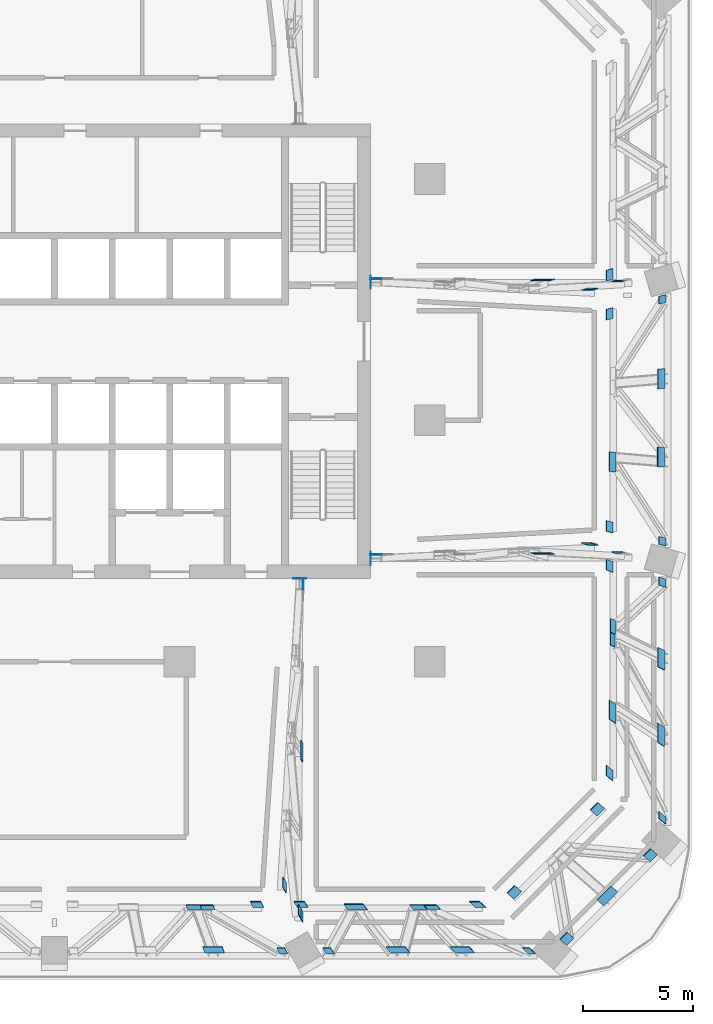
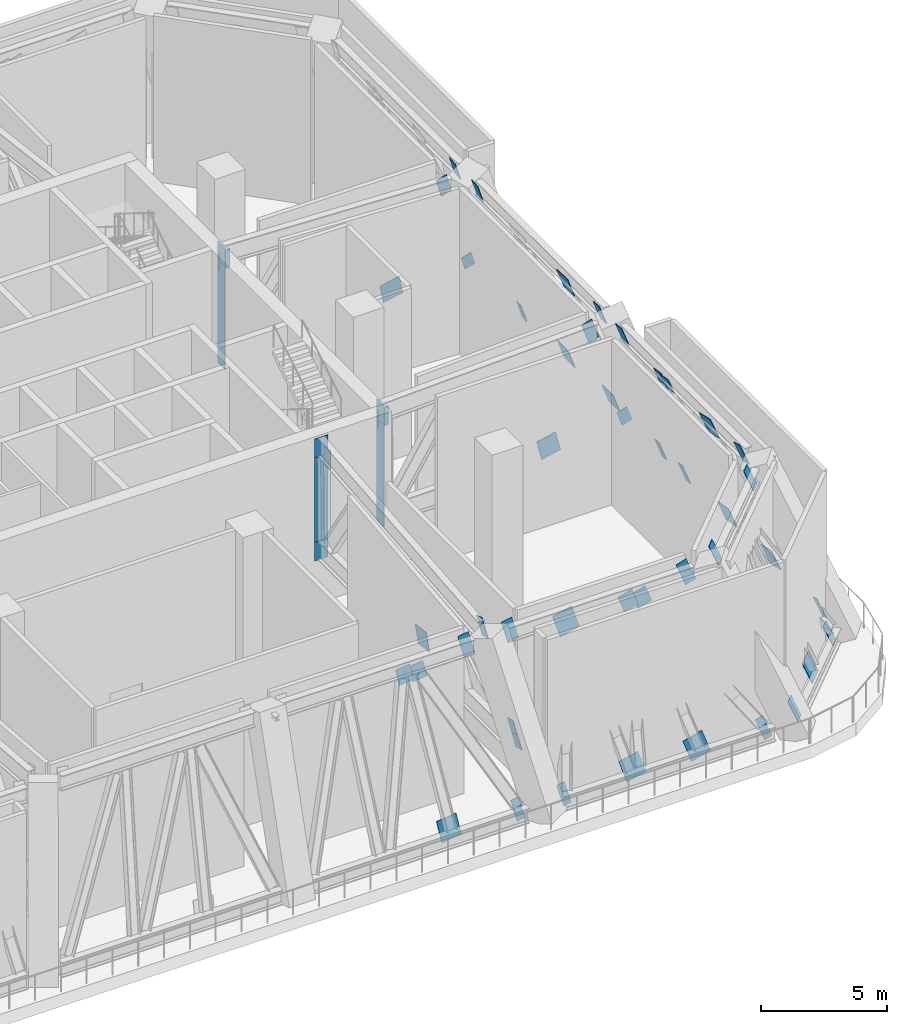
# One storey, part 11 of 24: 58 discrete accessories.
"""IFC4 building model written with IfcOpenShell, lengths in metres."""

import ifcopenshell
import ifcopenshell.guid

model = None  # the IFC model being written
_history = None  # IfcOwnerHistory: only IFC2X3 demands one
_inside = {}  # id of a spatial element -> (the spatial element, [elements in it])
_under = {}  # id of a project, library or spatial element -> (it, [spatial elements below it])
_declared = {}  # id of a project -> (the project, [libraries it declares])
_typed = {}  # id of a type object -> (the type object, [elements of that type])
_made_of = {}  # id of a material, layer set ... -> (it, [elements and type objects made of it])


def new_model(schema):
    """Start an empty IFC model of exactly this schema.

    Asked for "IFC4X3", IfcOpenShell would pick the latest addendum, in which some entities
    have other attributes; the version numbers below select the first issue.
    IFC2X3 requires an IfcOwnerHistory on every rooted entity: one is made here for all.
    """
    global model, _history
    if schema == "IFC4X3":
        model = ifcopenshell.file(schema_version=(4, 3, 0, 0))
    else:
        model = ifcopenshell.file(schema=schema)
    _inside.clear()
    _under.clear()
    _declared.clear()
    _typed.clear()
    _made_of.clear()
    _history = None
    if model.schema == "IFC2X3":
        org = make("IfcOrganization", Name="unknown")
        user = make(
            "IfcPersonAndOrganization",
            ThePerson=make("IfcPerson", FamilyName="unknown"),
            TheOrganization=org,
        )
        app = make(
            "IfcApplication",
            ApplicationDeveloper=org,
            Version="unknown",
            ApplicationFullName="unknown",
            ApplicationIdentifier="unknown",
        )
        _history = make(
            "IfcOwnerHistory",
            OwningUser=user,
            OwningApplication=app,
            ChangeAction="ADDED",
            CreationDate=0,
        )
    return model


def make(cls, **values):
    """One entity of the class cls with the attributes given. An attribute that is None is left unset."""
    return model.create_entity(
        cls, **{name: value for name, value in values.items() if value is not None}
    )


def rooted(cls, **values):
    """An entity with a GlobalId (a new one), such as an element, a storey or a relation."""
    return make(cls, GlobalId=ifcopenshell.guid.new(), OwnerHistory=_history, **values)


def si_unit(unit_type, name, prefix=None):
    """IfcSIUnit, for example si_unit("LENGTHUNIT", "METRE", prefix="MILLI")."""
    return make("IfcSIUnit", UnitType=unit_type, Prefix=prefix, Name=name)


def assignment(units):
    """IfcUnitAssignment: the units of a project."""
    return None if units is None else make("IfcUnitAssignment", Units=units)


def point(xyz):
    """IfcCartesianPoint."""
    return None if xyz is None else make("IfcCartesianPoint", Coordinates=xyz)


def direction(xyz):
    """IfcDirection."""
    return None if xyz is None else make("IfcDirection", DirectionRatios=xyz)


def frame(location, z_axis=None, x_axis=None):
    """IfcAxis2Placement3D, a coordinate frame: its origin and axes. An axis left out is left unset."""
    return make(
        "IfcAxis2Placement3D",
        Location=point(location),
        Axis=direction(z_axis),
        RefDirection=direction(x_axis),
    )


def frame_2d(location, x_axis=None):
    """IfcAxis2Placement2D, a coordinate frame in the plane: its origin and x axis."""
    return make(
        "IfcAxis2Placement2D", Location=point(location), RefDirection=direction(x_axis)
    )


def origin():
    """The frame at (0, 0, 0) with its axes left unset."""
    return frame((0.0, 0.0, 0.0))


def origin_2d():
    """The frame at (0, 0) in the plane with its x axis left unset."""
    return frame_2d((0.0, 0.0))


def place(relative_to, where):
    """IfcLocalPlacement: puts the frame where relative to a parent placement (None: the world)."""
    return make(
        "IfcLocalPlacement", PlacementRelTo=relative_to, RelativePlacement=where
    )


def context(
    kind, dimensions, precision=None, world=None, true_north=None, identifier=None
):
    """IfcGeometricRepresentationContext, for example the 3D "Model" context."""
    return make(
        "IfcGeometricRepresentationContext",
        ContextIdentifier=identifier,
        ContextType=kind,
        CoordinateSpaceDimension=dimensions,
        Precision=precision,
        WorldCoordinateSystem=world,
        TrueNorth=true_north,
    )


def subcontext(parent, identifier, kind, view, scale=None):
    """IfcGeometricRepresentationSubContext, for example "Body" below "Model"."""
    return make(
        "IfcGeometricRepresentationSubContext",
        ContextIdentifier=identifier,
        ContextType=kind,
        ParentContext=parent,
        TargetScale=scale,
        TargetView=view,
    )


def project(units=None, contexts=None):
    """IfcProject with its units and contexts."""
    return rooted(
        "IfcProject",
        Name="project",
        RepresentationContexts=contexts,
        UnitsInContext=assignment(units),
    )


def spatial(cls, under=None, at=None, **own):
    """A site, building, storey or space (cls), placed at a placement, below another one or the project."""
    s = rooted(cls, ObjectPlacement=at, **own)
    if under is not None:
        _under.setdefault(under.id(), (under, []))[1].append(s)
    return s


def profile(cls, at=None, kind="AREA", **sizes):
    """A parametric profile (cls). Its sizes go by their IFC names, for example OverallWidth=200.0."""
    return make(cls, ProfileType=kind, Position=at, **sizes)


def rectangle(**sizes):
    """IfcRectangleProfileDef."""
    return profile("IfcRectangleProfileDef", **sizes)


def extrude(swept, where, along, depth):
    """IfcExtrudedAreaSolid: the profile swept, set in the frame where, extruded along a direction by depth."""
    return make(
        "IfcExtrudedAreaSolid",
        SweptArea=swept,
        Position=where,
        ExtrudedDirection=direction(along),
        Depth=depth,
    )


def shape(context_of_items, identifier, shape_type, items):
    """IfcShapeRepresentation: the items that make up one representation, for example the "Body"."""
    return make(
        "IfcShapeRepresentation",
        ContextOfItems=context_of_items,
        RepresentationIdentifier=identifier,
        RepresentationType=shape_type,
        Items=items,
    )


def material(Name=None, Category=None):
    """IfcMaterial."""
    return make("IfcMaterial", Name=Name, Category=Category)


def layer(
    of_material, thickness, ventilated=None, Name=None, Category=None, Priority=None
):
    """IfcMaterialLayer: one layer of a wall or slab, of a material (None: an air gap)."""
    return make(
        "IfcMaterialLayer",
        Material=of_material,
        LayerThickness=thickness,
        IsVentilated=ventilated,
        Name=Name,
        Category=Category,
        Priority=Priority,
    )


def layer_set(layers, Name=None):
    """IfcMaterialLayerSet."""
    return make("IfcMaterialLayerSet", MaterialLayers=layers, LayerSetName=Name)


def made_of(thing, what):
    """Note that an element or type object is made of a material, layer set ...; save() writes the relation."""
    if what is not None:
        _made_of.setdefault(what.id(), (what, []))[1].append(thing)
    return thing


def type_object(cls, material=None, **own):
    """A type object (cls), such as IfcWallType, which elements share."""
    return made_of(rooted(cls, **own), material)


def element(
    cls,
    number,
    at=None,
    inside=None,
    cuts=None,
    type_object=None,
    material=None,
    context=None,
    identifier="Body",
    shape_type=None,
    held_by="IfcProductDefinitionShape",
    body=None,
    shapes=None,
    **own,
):
    """One element of the class cls, such as IfcWall. Its Tag is "e" and its number.

    at: its placement. inside: the storey or other place that contains it. cuts: it is an
    opening in that element (IfcRelVoidsElement). A single representation is given by context,
    identifier, shape_type and body (its items); several are given by shapes. held_by: the class
    of the entity that holds the representations. save() writes the other relations.
    """
    e = rooted(cls, Tag="e%d" % number, ObjectPlacement=at, **own)
    if body is not None:
        shapes = [shape(context, identifier, shape_type, body)]
    if shapes is not None:
        e.Representation = make(held_by, Representations=shapes)
    if inside is not None:
        _inside.setdefault(inside.id(), (inside, []))[1].append(e)
    if cuts is not None:
        rooted(
            "IfcRelVoidsElement", RelatingBuildingElement=cuts, RelatedOpeningElement=e
        )
    if type_object is not None:
        _typed.setdefault(type_object.id(), (type_object, []))[1].append(e)
    return made_of(e, material)


def aggregate(whole, parts):
    """IfcRelAggregates: a whole, such as a stair, and the parts it consists of."""
    return rooted("IfcRelAggregates", RelatingObject=whole, RelatedObjects=parts)


def save(model, path):
    """Write the relations noted so far, then the file.

    IfcRelAggregates (storeys below a building ...), IfcRelContainedInSpatialStructure (elements
    in a storey), IfcRelDefinesByType, IfcRelAssociatesMaterial and IfcRelDeclares: one each for
    every whole, place, type object, material and project.
    """
    for whole, parts in _under.values():
        aggregate(whole, parts)
    for where, things in _inside.values():
        rooted(
            "IfcRelContainedInSpatialStructure",
            RelatedElements=things,
            RelatingStructure=where,
        )
    for kind, things in _typed.values():
        rooted("IfcRelDefinesByType", RelatedObjects=things, RelatingType=kind)
    for what, things in _made_of.values():
        rooted("IfcRelAssociatesMaterial", RelatedObjects=things, RelatingMaterial=what)
    for by, libraries in _declared.values():
        rooted("IfcRelDeclares", RelatingContext=by, RelatedDefinitions=libraries)
    model.write(path)


model = new_model("IFC4")

# Units and contexts
model_context = context("Model", 3, precision=1e-05, world=origin(), true_north=direction((0.0, 1.0)))
body_context = subcontext(model_context, "Body", "Model", "MODEL_VIEW")
ifc_project = project(units=[si_unit("LENGTHUNIT", "METRE"), si_unit("AREAUNIT", "SQUARE_METRE"), si_unit("VOLUMEUNIT", "CUBIC_METRE"), si_unit("PLANEANGLEUNIT", "RADIAN"), si_unit("MASSUNIT", "GRAM", prefix="KILO")], contexts=[model_context])

# Site, building, storey
site_placement = place(None, origin())
site = spatial("IfcSite", under=ifc_project, at=site_placement, CompositionType="ELEMENT")
building_placement = place(site_placement, origin())
building = spatial("IfcBuilding", under=site, at=building_placement, Name="Mopane Tessera Tower", CompositionType="ELEMENT")
storey_placement = place(building_placement, frame((0.0, 0.0, 148.60009765625)))
storey = spatial("IfcBuildingStorey", under=building, at=storey_placement, Name="L30", CompositionType="ELEMENT", Elevation=148.60009765625)

# Discrete accessories
ifc_material_1 = material(Name="Structural steel S460", Category="steel")
ifc_layer_1 = layer(ifc_material_1, 0.014892578125)
ifc_layer_set_1 = layer_set([ifc_layer_1], Name="Structural steel S460")
discrete_accessory_type_1 = type_object("IfcDiscreteAccessoryType", Name="Cast-in anchor plate 15 mm", PredefinedType="ANCHORPLATE", material=ifc_layer_set_1)
for number, where, z_axis, x_axis, name in (
    (1, (14.407470703125, -6.291748046875, 2.099853515625), (0.0, 0.0, 1.0), (1.0, 0.0, 0.0), "Cast-in anchor plate s ot L30 E1 b"),
    (2, (14.407470703125, -6.291015625, 7.08984375), (0.0, 0.0, 1.0), (1.0, 0.0, 0.0), "Cast-in anchor plate s ot L30 E1 t"),
):
    element("IfcDiscreteAccessory", number, at=place(storey_placement, frame(where, z_axis=z_axis, x_axis=x_axis)), inside=storey, type_object=discrete_accessory_type_1, Name=name, PredefinedType="ANCHORPLATE", context=body_context, shape_type="SweptSolid", body=[
        extrude(rectangle(XDim=0.014892578125, YDim=0.60205078125, at=origin_2d()), origin(), (0.0, 0.0, 1.0), 0.91015625),
    ])
discrete_accessory_1_placement = place(storey_placement, frame((14.407470703125, -6.291259765625, 3.010009765625), z_axis=(0.0, 0.0, 1.0), x_axis=(1.0, 0.0, 0.0)))
element("IfcDiscreteAccessory", 3, at=discrete_accessory_1_placement, inside=storey, type_object=discrete_accessory_type_1, Name="Cast-in anchor plate s ot L30 E1 p", PredefinedType="ANCHORPLATE", context=body_context, shape_type="SweptSolid", body=[
    extrude(rectangle(XDim=0.014892578125, YDim=0.60205078125, at=origin_2d()), origin(), (0.0, 0.0, 1.0), 4.079833984375),
])
for number, where, z_axis, x_axis, name in (
    (4, (14.407470703125, 6.291748046875, 2.099853515625), (0.0, 0.0, 1.0), (1.0, 0.0, 0.0), "Cast-in anchor plate s ot L30 E2 b"),
    (5, (14.407470703125, 6.291015625, 7.08984375), (0.0, 0.0, 1.0), (1.0, 0.0, 0.0), "Cast-in anchor plate s ot L30 E2 t"),
):
    element("IfcDiscreteAccessory", number, at=place(storey_placement, frame(where, z_axis=z_axis, x_axis=x_axis)), inside=storey, type_object=discrete_accessory_type_1, Name=name, PredefinedType="ANCHORPLATE", context=body_context, shape_type="SweptSolid", body=[
        extrude(rectangle(XDim=0.014892578125, YDim=0.60205078125, at=origin_2d()), origin(), (0.0, 0.0, 1.0), 0.91015625),
    ])
discrete_accessory_2_placement = place(storey_placement, frame((14.407470703125, 6.291259765625, 3.010009765625), z_axis=(0.0, 0.0, 1.0), x_axis=(1.0, 0.0, 0.0)))
element("IfcDiscreteAccessory", 6, at=discrete_accessory_2_placement, inside=storey, type_object=discrete_accessory_type_1, Name="Cast-in anchor plate s ot L30 E2 p", PredefinedType="ANCHORPLATE", context=body_context, shape_type="SweptSolid", body=[
    extrude(rectangle(XDim=0.014892578125, YDim=0.60205078125, at=origin_2d()), origin(), (0.0, 0.0, 1.0), 4.079833984375),
])
for number, where, z_axis, x_axis, name in (
    (7, (11.168701171875, -7.20751953125, 2.099853515625), (0.0, 0.0, 1.0), (0.0, -1.0, 0.0), "Cast-in anchor plate s ot L30 S3 b"),
    (8, (11.167724609375, -7.20751953125, 7.08984375), (0.0, 0.0, 1.0), (0.0, -1.0, 0.0), "Cast-in anchor plate s ot L30 S3 t"),
):
    element("IfcDiscreteAccessory", number, at=place(storey_placement, frame(where, z_axis=z_axis, x_axis=x_axis)), inside=storey, type_object=discrete_accessory_type_1, Name=name, PredefinedType="ANCHORPLATE", context=body_context, shape_type="SweptSolid", body=[
        extrude(rectangle(XDim=0.014892578125, YDim=0.60205078125, at=origin_2d()), origin(), (0.0, 0.0, 1.0), 0.91015625),
    ])
discrete_accessory_3_placement = place(storey_placement, frame((11.168212890625, -7.20751953125, 3.010009765625), z_axis=(0.0, 0.0, 1.0), x_axis=(0.0, -1.0, 0.0)))
element("IfcDiscreteAccessory", 9, at=discrete_accessory_3_placement, inside=storey, type_object=discrete_accessory_type_1, Name="Cast-in anchor plate s ot L30 S3 p", PredefinedType="ANCHORPLATE", context=body_context, shape_type="SweptSolid", body=[
    extrude(rectangle(XDim=0.014892578125, YDim=0.60205078125, at=origin_2d()), origin(), (0.0, 0.0, 1.0), 4.079833984375),
])
ifc_material_2 = material(Name="Structural steel S460", Category="steel")
ifc_layer_2 = layer(ifc_material_2, 0.030029296875)
ifc_layer_set_2 = layer_set([ifc_layer_2], Name="Structural steel S460")
discrete_accessory_type_2 = type_object("IfcDiscreteAccessoryType", Name="Truss node plate 30 mm", PredefinedType="BRACKET", material=ifc_layer_set_2)
discrete_accessory_4_placement = place(storey_placement, frame((14.6376953125, -6.1162109375, 6.639892578125), z_axis=(-0.007053528576, 0.001899026924, 0.99997332036), x_axis=(-0.024950793223, 0.999686528097, -0.002074478112)))
element("IfcDiscreteAccessory", 10, at=discrete_accessory_4_placement, inside=storey, type_object=discrete_accessory_type_2, Name="Truss node plate s ot L30 E1 1", PredefinedType="BRACKET", context=body_context, shape_type="SweptSolid", body=[
    extrude(rectangle(XDim=0.030029296875, YDim=0.489990234375, at=origin_2d()), origin(), (0.0, 0.0, 1.0), 0.89990234375),
])
discrete_accessory_5_placement = place(storey_placement, frame((22.32763671875, -6.097412109375, 2.559814453125), z_axis=(-0.205584201057, 0.060138677371, 0.976789883117), x_axis=(0.009145166292, 0.998184557828, -0.059531121667)))
element("IfcDiscreteAccessory", 11, at=discrete_accessory_5_placement, inside=storey, type_object=discrete_accessory_type_2, Name="Truss node plate s ot L30 E1 8", PredefinedType="BRACKET", context=body_context, shape_type="SweptSolid", body=[
    extrude(rectangle(XDim=0.030029296875, YDim=0.89990234375, at=origin_2d()), origin(), (0.0, 0.0, 1.0), 0.921630859375),
])
discrete_accessory_6_placement = place(storey_placement, frame((24.522705078125, -5.679443359375, 7.094970703125), z_axis=(-0.291093975679, 0.085053213142, 0.95290621168), x_axis=(0.021463011906, 0.996370167906, -0.082376135061)))
element("IfcDiscreteAccessory", 12, at=discrete_accessory_6_placement, inside=storey, type_object=discrete_accessory_type_2, Name="Truss node plate s ot L30 E1 11", PredefinedType="BRACKET", context=body_context, shape_type="SweptSolid", body=[
    extrude(rectangle(XDim=0.030029296875, YDim=0.489990234375, at=origin_2d()), origin(), (0.0, 0.0, 1.0), 0.9443359375),
])
discrete_accessory_7_placement = place(storey_placement, frame((25.816650390625, -6.0556640625, 2.88427734375), z_axis=(-0.291377366267, 0.085227879633, 0.952803987692), x_axis=(0.021794131855, 0.996356148145, -0.082458728281)))
element("IfcDiscreteAccessory", 13, at=discrete_accessory_7_placement, inside=storey, type_object=discrete_accessory_type_2, Name="Truss node plate s ot L30 E1 12", PredefinedType="BRACKET", context=body_context, shape_type="SweptSolid", body=[
    extrude(rectangle(XDim=0.030029296875, YDim=0.474853515625, at=origin_2d()), origin(), (0.0, 0.0, 1.0), 0.67041015625),
])
discrete_accessory_8_placement = place(storey_placement, frame((14.638916015625, 6.4482421875, 6.639892578125), z_axis=(-0.007053524682, -0.002170315287, 0.99997276839), x_axis=(-0.010550694805, 0.9999421435, 0.002095827206)))
element("IfcDiscreteAccessory", 14, at=discrete_accessory_8_placement, inside=storey, type_object=discrete_accessory_type_2, Name="Truss node plate s ot L30 E2 1", PredefinedType="BRACKET", context=body_context, shape_type="SweptSolid", body=[
    extrude(rectangle(XDim=0.030029296875, YDim=0.489990234375, at=origin_2d()), origin(), (0.0, 0.0, 1.0), 0.89990234375),
])
discrete_accessory_9_placement = place(storey_placement, frame((22.328857421875, 6.429443359375, 2.559814453125), z_axis=(-0.205584201057, -0.060138677371, 0.976789883117), x_axis=(-0.009145166292, 0.998184557828, 0.059531121667)))
element("IfcDiscreteAccessory", 15, at=discrete_accessory_9_placement, inside=storey, type_object=discrete_accessory_type_2, Name="Truss node plate s ot L30 E2 8", PredefinedType="BRACKET", context=body_context, shape_type="SweptSolid", body=[
    extrude(rectangle(XDim=0.030029296875, YDim=0.89990234375, at=origin_2d()), origin(), (0.0, 0.0, 1.0), 0.921630859375),
])
discrete_accessory_10_placement = place(storey_placement, frame((24.52392578125, 6.011474609375, 7.094970703125), z_axis=(-0.291093975679, -0.085053213142, 0.95290621168), x_axis=(-0.021463011906, 0.996370167906, 0.082376135061)))
element("IfcDiscreteAccessory", 16, at=discrete_accessory_10_placement, inside=storey, type_object=discrete_accessory_type_2, Name="Truss node plate s ot L30 E2 11", PredefinedType="BRACKET", context=body_context, shape_type="SweptSolid", body=[
    extrude(rectangle(XDim=0.030029296875, YDim=0.489990234375, at=origin_2d()), origin(), (0.0, 0.0, 1.0), 0.9443359375),
])
discrete_accessory_11_placement = place(storey_placement, frame((25.817626953125, 6.3876953125, 2.88427734375), z_axis=(-0.291044014217, -0.085236920309, 0.952905057812), x_axis=(-0.022103753452, 0.996356458321, 0.082372519969)))
element("IfcDiscreteAccessory", 17, at=discrete_accessory_11_placement, inside=storey, type_object=discrete_accessory_type_2, Name="Truss node plate s ot L30 E2 12", PredefinedType="BRACKET", context=body_context, shape_type="SweptSolid", body=[
    extrude(rectangle(XDim=0.030029296875, YDim=0.474853515625, at=origin_2d()), origin(), (0.0, 0.0, 1.0), 0.670166015625),
])
discrete_accessory_12_placement = place(storey_placement, frame((11.322265625, -7.44775390625, 6.639892578125), z_axis=(-0.00271292915, 0.004611979555, 0.999985684728), x_axis=(0.999955379184, 0.009061186452, 0.002671056327)))
element("IfcDiscreteAccessory", 18, at=discrete_accessory_12_placement, inside=storey, type_object=discrete_accessory_type_2, Name="Truss node plate s ot L30 S3 1", PredefinedType="BRACKET", context=body_context, shape_type="SweptSolid", body=[
    extrude(rectangle(XDim=0.030029296875, YDim=0.489990234375, at=origin_2d()), origin(), (0.0, 0.0, 1.0), 0.89990234375),
])
discrete_accessory_13_placement = place(storey_placement, frame((11.29736328125, -15.1337890625, 2.559814453125), z_axis=(-0.08029130429, 0.140777420189, 0.986780129725), x_axis=(0.996762168268, 0.007069441866, 0.080094961773)))
element("IfcDiscreteAccessory", 19, at=discrete_accessory_13_placement, inside=storey, type_object=discrete_accessory_type_2, Name="Truss node plate s ot L30 S3 8", PredefinedType="BRACKET", context=body_context, shape_type="SweptSolid", body=[
    extrude(rectangle(XDim=0.030029296875, YDim=0.89990234375, at=origin_2d()), origin(), (0.0, 0.0, 1.0), 0.912109375),
])
discrete_accessory_14_placement = place(storey_placement, frame((11.3134765625, -22.639892578125, 2.2353515625), z_axis=(-0.150029990169, 0.263280783719, 0.952981757944), x_axis=(0.988670944276, 0.035509077997, 0.14583850426)))
element("IfcDiscreteAccessory", 20, at=discrete_accessory_14_placement, inside=storey, type_object=discrete_accessory_type_2, Name="Truss node plate s ot L30 S3 15", PredefinedType="BRACKET", context=body_context, shape_type="SweptSolid", body=[
    extrude(rectangle(XDim=0.030029296875, YDim=0.489990234375, at=origin_2d()), origin(), (0.0, 0.0, 1.0), 0.67041015625),
])
discrete_accessory_15_placement = place(storey_placement, frame((10.54833984375, -21.29736328125, 7.094970703125), z_axis=(-0.149958838293, 0.263203616176, 0.953014272322), x_axis=(0.988681455665, 0.035418413877, 0.145789283494)))
element("IfcDiscreteAccessory", 21, at=discrete_accessory_15_placement, inside=storey, type_object=discrete_accessory_type_2, Name="Truss node plate s ot L30 S3 16", PredefinedType="BRACKET", context=body_context, shape_type="SweptSolid", body=[
    extrude(rectangle(XDim=0.030029296875, YDim=0.489990234375, at=origin_2d()), origin(), (0.0, 0.0, 1.0), 0.9443359375),
])
discrete_accessory_16_placement = place(storey_placement, frame((11.211181640625, -22.46826171875, 2.88427734375), z_axis=(-0.150015598345, 0.263619643693, 0.952890341914), x_axis=(0.988670214317, 0.03497831993, 0.14597165635)))
element("IfcDiscreteAccessory", 22, at=discrete_accessory_16_placement, inside=storey, type_object=discrete_accessory_type_2, Name="Truss node plate s ot L30 S3 17", PredefinedType="BRACKET", context=body_context, shape_type="SweptSolid", body=[
    extrude(rectangle(XDim=0.030029296875, YDim=0.474609375, at=origin_2d()), origin(), (0.0, 0.0, 1.0), 0.67041015625),
])
discrete_accessory_17_placement = place(storey_placement, frame((6.376708984375, -22.269775390625, 6.932373046875), z_axis=(-0.099746262387, 0.283920611151, 0.953645515747), x_axis=(0.029386032154, 0.958847780311, -0.282395813188)))
element("IfcDiscreteAccessory", 23, at=discrete_accessory_17_placement, inside=storey, type_object=discrete_accessory_type_2, Name="Truss node plate s bt L30 S2-S3 4", PredefinedType="BRACKET", context=body_context, shape_type="SweptSolid", body=[
    extrude(rectangle(XDim=0.030029296875, YDim=0.653564453125, at=origin_2d()), origin(), (0.0, 0.0, 1.0), 0.685302734375),
])
discrete_accessory_18_placement = place(storey_placement, frame((7.29638671875, -24.25390625, 0.265869140625), z_axis=(-0.102914959865, 0.283662590381, 0.953385570404), x_axis=(0.029923246154, 0.958924023539, -0.282080336819)))
element("IfcDiscreteAccessory", 24, at=discrete_accessory_18_placement, inside=storey, type_object=discrete_accessory_type_2, Name="Truss node plate s bt L30 S2-S3 5", PredefinedType="BRACKET", context=body_context, shape_type="SweptSolid", body=[
    extrude(rectangle(XDim=0.030029296875, YDim=0.89990234375, at=origin_2d()), origin(), (0.0, 0.0, 1.0), 0.944091796875),
])
discrete_accessory_19_placement = place(storey_placement, frame((6.9794921875, -22.279541015625, 6.899658203125), z_axis=(-0.108903183046, 0.283646525778, 0.952724905278), x_axis=(0.032401347997, 0.958928889636, -0.281789881417)))
element("IfcDiscreteAccessory", 25, at=discrete_accessory_19_placement, inside=storey, type_object=discrete_accessory_type_2, Name="Truss node plate s bt L30 S2-S3 6", PredefinedType="BRACKET", context=body_context, shape_type="SweptSolid", body=[
    extrude(rectangle(XDim=0.030029296875, YDim=0.653564453125, at=origin_2d()), origin(), (0.0, 0.0, 1.0), 0.68603515625),
])
discrete_accessory_20_placement = place(storey_placement, frame((9.2978515625, -22.192626953125, 7.19189453125), z_axis=(-0.145091716292, 0.282465788101, 0.948241252222), x_axis=(0.043145507269, 0.959277285581, -0.27915149036)))
element("IfcDiscreteAccessory", 26, at=discrete_accessory_20_placement, inside=storey, type_object=discrete_accessory_type_2, Name="Truss node plate s bt L30 S2-S3 7", PredefinedType="BRACKET", context=body_context, shape_type="SweptSolid", body=[
    extrude(rectangle(XDim=0.030029296875, YDim=0.489990234375, at=origin_2d()), origin(), (0.0, 0.0, 1.0), 0.948974609375),
])
discrete_accessory_21_placement = place(storey_placement, frame((10.44482421875, -24.298583984375, 0.11572265625), z_axis=(-0.145857698787, 0.282197346683, 0.948203664425), x_axis=(0.043341002099, 0.959356283123, -0.278849564405)))
element("IfcDiscreteAccessory", 27, at=discrete_accessory_21_placement, inside=storey, type_object=discrete_accessory_type_2, Name="Truss node plate s bt L30 S2-S3 8", PredefinedType="BRACKET", context=body_context, shape_type="SweptSolid", body=[
    extrude(rectangle(XDim=0.030029296875, YDim=0.3623046875, at=origin_2d()), origin(), (0.0, 0.0, 1.0), 0.948974609375),
])
discrete_accessory_22_placement = place(storey_placement, frame((12.5673828125, -24.29931640625, 0.11328125), z_axis=(-0.174861150859, 0.280853122243, 0.943686972278), x_axis=(0.05111114351, 0.959750759543, -0.276163231742)))
element("IfcDiscreteAccessory", 28, at=discrete_accessory_22_placement, inside=storey, type_object=discrete_accessory_type_2, Name="Truss node plate s bt L30 S3-S4 0", PredefinedType="BRACKET", context=body_context, shape_type="SweptSolid", body=[
    extrude(rectangle(XDim=0.030029296875, YDim=0.36474609375, at=origin_2d()), origin(), (0.0, 0.0, 1.0), 0.95361328125),
])
discrete_accessory_23_placement = place(storey_placement, frame((11.312255859375, -22.192626953125, 7.19189453125), z_axis=(-0.175841003758, 0.281038460155, 0.943449694107), x_axis=(0.051419626951, 0.959696503443, -0.276294486453)))
element("IfcDiscreteAccessory", 29, at=discrete_accessory_23_placement, inside=storey, type_object=discrete_accessory_type_2, Name="Truss node plate s bt L30 S3-S4 1", PredefinedType="BRACKET", context=body_context, shape_type="SweptSolid", body=[
    extrude(rectangle(XDim=0.030029296875, YDim=0.489990234375, at=origin_2d()), origin(), (0.0, 0.0, 1.0), 0.953857421875),
])
discrete_accessory_24_placement = place(storey_placement, frame((13.827880859375, -22.306884765625, 6.8076171875), z_axis=(-0.211692224522, 0.278783157624, 0.936731740202), x_axis=(0.061898407618, 0.96035397554, -0.271824996642)))
element("IfcDiscreteAccessory", 30, at=discrete_accessory_24_placement, inside=storey, type_object=discrete_accessory_type_2, Name="Truss node plate s bt L30 S3-S4 2", PredefinedType="BRACKET", context=body_context, shape_type="SweptSolid", body=[
    extrude(rectangle(XDim=0.030029296875, YDim=0.89990234375, at=origin_2d()), origin(), (0.0, 0.0, 1.0), 0.960693359375),
])
discrete_accessory_25_placement = place(storey_placement, frame((15.74853515625, -24.2470703125, 0.288330078125), z_axis=(-0.217748480613, 0.278403360411, 0.93545559387), x_axis=(0.063147069091, 0.960464246107, -0.271147339311)))
element("IfcDiscreteAccessory", 31, at=discrete_accessory_25_placement, inside=storey, type_object=discrete_accessory_type_2, Name="Truss node plate s bt L30 S3-S4 3", PredefinedType="BRACKET", context=body_context, shape_type="SweptSolid", body=[
    extrude(rectangle(XDim=0.030029296875, YDim=0.89990234375, at=origin_2d()), origin(), (0.0, 0.0, 1.0), 0.9619140625),
])
discrete_accessory_26_placement = place(storey_placement, frame((16.662841796875, -22.26953125, 6.932861328125), z_axis=(-0.253167118461, 0.275900492364, 0.92724609918), x_axis=(0.07277263337, 0.961186198276, -0.266130111178)))
element("IfcDiscreteAccessory", 32, at=discrete_accessory_26_placement, inside=storey, type_object=discrete_accessory_type_2, Name="Truss node plate s bt L30 S3-S4 4", PredefinedType="BRACKET", context=body_context, shape_type="SweptSolid", body=[
    extrude(rectangle(XDim=0.030029296875, YDim=0.6572265625, at=origin_2d()), origin(), (0.0, 0.0, 1.0), 0.708740234375),
])
discrete_accessory_27_placement = place(storey_placement, frame((18.7080078125, -24.25390625, 0.265869140625), z_axis=(-0.2560678272, 0.275668701117, 0.926518232469), x_axis=(0.073449792834, 0.961252707156, -0.265703520709)))
element("IfcDiscreteAccessory", 33, at=discrete_accessory_27_placement, inside=storey, type_object=discrete_accessory_type_2, Name="Truss node plate s bt L30 S3-S4 5", PredefinedType="BRACKET", context=body_context, shape_type="SweptSolid", body=[
    extrude(rectangle(XDim=0.030029296875, YDim=0.89990234375, at=origin_2d()), origin(), (0.0, 0.0, 1.0), 0.971435546875),
])
discrete_accessory_28_placement = place(storey_placement, frame((17.27392578125, -22.278564453125, 6.90234375), z_axis=(-0.2617568665, 0.275153871478, 0.925080369401), x_axis=(0.074758648248, 0.961400188563, -0.264803364676)))
element("IfcDiscreteAccessory", 34, at=discrete_accessory_28_placement, inside=storey, type_object=discrete_accessory_type_2, Name="Truss node plate s bt L30 S3-S4 6", PredefinedType="BRACKET", context=body_context, shape_type="SweptSolid", body=[
    extrude(rectangle(XDim=0.030029296875, YDim=0.6572265625, at=origin_2d()), origin(), (0.0, 0.0, 1.0), 0.710693359375),
])
discrete_accessory_29_placement = place(storey_placement, frame((19.42138671875, -22.192626953125, 7.19189453125), z_axis=(-0.292858334789, 0.272969823089, 0.916363176599), x_axis=(0.083711922365, 0.962022395971, -0.259817673964)))
element("IfcDiscreteAccessory", 35, at=discrete_accessory_29_placement, inside=storey, type_object=discrete_accessory_type_2, Name="Truss node plate s bt L30 S3-S4 7", PredefinedType="BRACKET", context=body_context, shape_type="SweptSolid", body=[
    extrude(rectangle(XDim=0.030029296875, YDim=0.489990234375, at=origin_2d()), origin(), (0.0, 0.0, 1.0), 0.98193359375),
])
discrete_accessory_30_placement = place(storey_placement, frame((21.758544921875, -24.29931640625, 0.11328125), z_axis=(-0.294014065287, 0.272640261725, 0.916091162003), x_axis=(0.083106720852, 0.962116023558, -0.259665227096)))
element("IfcDiscreteAccessory", 36, at=discrete_accessory_30_placement, inside=storey, type_object=discrete_accessory_type_2, Name="Truss node plate s bt L30 S3-S4 8", PredefinedType="BRACKET", context=body_context, shape_type="SweptSolid", body=[
    extrude(rectangle(XDim=0.030029296875, YDim=0.343017578125, at=origin_2d()), origin(), (0.0, 0.0, 1.0), 0.982421875),
])
discrete_accessory_31_placement = place(storey_placement, frame((23.494140625, -23.75048828125, 0.10888671875), z_axis=(-0.309337061572, 0.271257199476, 0.911443971986), x_axis=(-0.636313992787, 0.653224784624, -0.410367985271)))
element("IfcDiscreteAccessory", 37, at=discrete_accessory_31_placement, inside=storey, type_object=discrete_accessory_type_2, Name="Truss node plate s bt L30 S4-E0 0", PredefinedType="BRACKET", context=body_context, shape_type="SweptSolid", body=[
    extrude(rectangle(XDim=0.030029296875, YDim=0.462890625, at=origin_2d()), origin(), (0.0, 0.0, 1.0), 0.9873046875),
])
discrete_accessory_32_placement = place(storey_placement, frame((21.100341796875, -21.6328125, 7.19189453125), z_axis=(-0.309337061572, 0.271257199476, 0.911443971986), x_axis=(-0.636313992787, 0.653224784624, -0.410367985271)))
element("IfcDiscreteAccessory", 38, at=discrete_accessory_32_placement, inside=storey, type_object=discrete_accessory_type_2, Name="Truss node plate s bt L30 S4-E0 1", PredefinedType="BRACKET", context=body_context, shape_type="SweptSolid", body=[
    extrude(rectangle(XDim=0.030029296875, YDim=0.489990234375, at=origin_2d()), origin(), (0.0, 0.0, 1.0), 0.9873046875),
])
discrete_accessory_33_placement = place(storey_placement, frame((25.341796875, -21.802734375, 0.265869140625), z_axis=(-0.30926735902, 0.271196077414, 0.911485813515), x_axis=(-0.636345371366, 0.653252300453, -0.410275517542)))
element("IfcDiscreteAccessory", 39, at=discrete_accessory_33_placement, inside=storey, type_object=discrete_accessory_type_2, Name="Truss node plate s bt L30 S4-E0 3", PredefinedType="BRACKET", context=body_context, shape_type="SweptSolid", body=[
    extrude(rectangle(XDim=0.030029296875, YDim=0.89990234375, at=origin_2d()), origin(), (0.0, 0.0, 1.0), 0.987548828125),
])
discrete_accessory_34_placement = place(storey_placement, frame((27.2958984375, -19.948486328125, 0.10888671875), z_axis=(-0.309337061572, 0.271257199476, 0.911443971986), x_axis=(-0.636313992787, 0.653224784624, -0.410367985271)))
element("IfcDiscreteAccessory", 40, at=discrete_accessory_34_placement, inside=storey, type_object=discrete_accessory_type_2, Name="Truss node plate s bt L30 S4-E0 6", PredefinedType="BRACKET", context=body_context, shape_type="SweptSolid", body=[
    extrude(rectangle(XDim=0.030029296875, YDim=0.462890625, at=origin_2d()), origin(), (0.0, 0.0, 1.0), 0.9873046875),
])
discrete_accessory_35_placement = place(storey_placement, frame((24.883056640625, -17.85009765625, 7.19189453125), z_axis=(-0.309337061572, 0.271257199476, 0.911443971986), x_axis=(-0.636313992787, 0.653224784624, -0.410367985271)))
element("IfcDiscreteAccessory", 41, at=discrete_accessory_35_placement, inside=storey, type_object=discrete_accessory_type_2, Name="Truss node plate s bt L30 S4-E0 7", PredefinedType="BRACKET", context=body_context, shape_type="SweptSolid", body=[
    extrude(rectangle(XDim=0.030029296875, YDim=0.489990234375, at=origin_2d()), origin(), (0.0, 0.0, 1.0), 0.9873046875),
])
discrete_accessory_36_placement = place(storey_placement, frame((27.841552734375, -18.240478515625, 0.12255859375), z_axis=(-0.310733081057, 0.255342611772, 0.915557263611), x_axis=(-0.950497199021, -0.083642165003, -0.299264202483)))
element("IfcDiscreteAccessory", 42, at=discrete_accessory_36_placement, inside=storey, type_object=discrete_accessory_type_2, Name="Truss node plate s bt L30 E0-E1 0", PredefinedType="BRACKET", context=body_context, shape_type="SweptSolid", body=[
    extrude(rectangle(XDim=0.030029296875, YDim=0.331298828125, at=origin_2d()), origin(), (0.0, 0.0, 1.0), 0.98291015625),
])
discrete_accessory_37_placement = place(storey_placement, frame((25.44287109375, -16.19775390625, 7.19189453125), z_axis=(-0.310811789295, 0.254413487001, 0.915789172936), x_axis=(-0.950471475505, -0.083117476253, -0.299492002217)))
element("IfcDiscreteAccessory", 43, at=discrete_accessory_37_placement, inside=storey, type_object=discrete_accessory_type_2, Name="Truss node plate s bt L30 E0-E1 1", PredefinedType="BRACKET", context=body_context, shape_type="SweptSolid", body=[
    extrude(rectangle(XDim=0.030029296875, YDim=0.489990234375, at=origin_2d()), origin(), (0.0, 0.0, 1.0), 0.982666015625),
])
discrete_accessory_38_placement = place(storey_placement, frame((25.576416015625, -13.385009765625, 6.79833984375), z_axis=(-0.314138438478, 0.211183394692, 0.925590954621), x_axis=(-0.949377120863, -0.0695168466, -0.306350274067)))
element("IfcDiscreteAccessory", 44, at=discrete_accessory_38_placement, inside=storey, type_object=discrete_accessory_type_2, Name="Truss node plate s bt L30 E0-E1 2", PredefinedType="BRACKET", context=body_context, shape_type="SweptSolid", body=[
    extrude(rectangle(XDim=0.030029296875, YDim=0.89990234375, at=origin_2d()), origin(), (0.0, 0.0, 1.0), 0.97216796875),
])
discrete_accessory_39_placement = place(storey_placement, frame((27.781982421875, -14.4306640625, 0.297607421875), z_axis=(-0.314492446927, 0.204885167262, 0.926885413124), x_axis=(-0.949259876664, -0.06832428069, -0.306981235949)))
element("IfcDiscreteAccessory", 45, at=discrete_accessory_39_placement, inside=storey, type_object=discrete_accessory_type_2, Name="Truss node plate s bt L30 E0-E1 3", PredefinedType="BRACKET", context=body_context, shape_type="SweptSolid", body=[
    extrude(rectangle(XDim=0.030029296875, YDim=0.89990234375, at=origin_2d()), origin(), (0.0, 0.0, 1.0), 0.97119140625),
])
discrete_accessory_40_placement = place(storey_placement, frame((25.53125, -10.021484375, 6.930908203125), z_axis=(-0.316951895266, 0.15989725658, 0.934865960139), x_axis=(-0.948441577305, -0.053158746568, -0.312462353098)))
element("IfcDiscreteAccessory", 46, at=discrete_accessory_40_placement, inside=storey, type_object=discrete_accessory_type_2, Name="Truss node plate s bt L30 E0-E1 4", PredefinedType="BRACKET", context=body_context, shape_type="SweptSolid", body=[
    extrude(rectangle(XDim=0.030029296875, YDim=0.642333984375, at=origin_2d()), origin(), (0.0, 0.0, 1.0), 0.68701171875),
])
discrete_accessory_41_placement = place(storey_placement, frame((27.792724609375, -10.9423828125, 0.265869140625), z_axis=(-0.317107827467, 0.1567781099, 0.935341247896), x_axis=(-0.948389483241, -0.052298718662, -0.312765458616)))
element("IfcDiscreteAccessory", 47, at=discrete_accessory_41_placement, inside=storey, type_object=discrete_accessory_type_2, Name="Truss node plate s bt L30 E0-E1 5", PredefinedType="BRACKET", context=body_context, shape_type="SweptSolid", body=[
    extrude(rectangle(XDim=0.030029296875, YDim=0.89990234375, at=origin_2d()), origin(), (0.0, 0.0, 1.0), 0.96240234375),
])
discrete_accessory_42_placement = place(storey_placement, frame((25.544677734375, -9.44140625, 6.8916015625), z_axis=(-0.317744524572, 0.150510564271, 0.936154360748), x_axis=(-0.948176072991, -0.051211199727, -0.313591370466)))
element("IfcDiscreteAccessory", 48, at=discrete_accessory_42_placement, inside=storey, type_object=discrete_accessory_type_2, Name="Truss node plate s bt L30 E0-E1 6", PredefinedType="BRACKET", context=body_context, shape_type="SweptSolid", body=[
    extrude(rectangle(XDim=0.030029296875, YDim=0.642333984375, at=origin_2d()), origin(), (0.0, 0.0, 1.0), 0.68603515625),
])
discrete_accessory_43_placement = place(storey_placement, frame((25.44287109375, -6.6845703125, 7.19189453125), z_axis=(-0.319514631758, 0.10778191415, 0.941431600848), x_axis=(-0.947581274564, -0.036718331253, -0.3173980029)))
element("IfcDiscreteAccessory", 49, at=discrete_accessory_43_placement, inside=storey, type_object=discrete_accessory_type_2, Name="Truss node plate s bt L30 E0-E1 7", PredefinedType="BRACKET", context=body_context, shape_type="SweptSolid", body=[
    extrude(rectangle(XDim=0.030029296875, YDim=0.489990234375, at=origin_2d()), origin(), (0.0, 0.0, 1.0), 0.955810546875),
])
discrete_accessory_44_placement = place(storey_placement, frame((27.841552734375, -7.431640625, 0.12255859375), z_axis=(-0.319540928292, 0.107024499564, 0.94150908208), x_axis=(-0.947572473766, -0.036042717955, -0.317501699907)))
element("IfcDiscreteAccessory", 50, at=discrete_accessory_44_placement, inside=storey, type_object=discrete_accessory_type_2, Name="Truss node plate s bt L30 E0-E1 8", PredefinedType="BRACKET", context=body_context, shape_type="SweptSolid", body=[
    extrude(rectangle(XDim=0.030029296875, YDim=0.3642578125, at=origin_2d()), origin(), (0.0, 0.0, 1.0), 0.955810546875),
])
discrete_accessory_45_placement = place(storey_placement, frame((27.8408203125, -5.544921875, 0.1240234375), z_axis=(-0.320052190562, 0.079885026764, 0.944025941283), x_axis=(-0.947399871363, -0.027282616328, -0.318887350938)))
element("IfcDiscreteAccessory", 51, at=discrete_accessory_45_placement, inside=storey, type_object=discrete_accessory_type_2, Name="Truss node plate s bt L30 E1-E2 0", PredefinedType="BRACKET", context=body_context, shape_type="SweptSolid", body=[
    extrude(rectangle(XDim=0.030029296875, YDim=0.3623046875, at=origin_2d()), origin(), (0.0, 0.0, 1.0), 0.95361328125),
])
discrete_accessory_46_placement = place(storey_placement, frame((25.44287109375, -4.888671875, 7.19189453125), z_axis=(-0.320378968418, 0.079134373494, 0.943978319416), x_axis=(-0.947289457433, -0.026741869188, -0.319260953247)))
element("IfcDiscreteAccessory", 52, at=discrete_accessory_46_placement, inside=storey, type_object=discrete_accessory_type_2, Name="Truss node plate s bt L30 E1-E2 1", PredefinedType="BRACKET", context=body_context, shape_type="SweptSolid", body=[
    extrude(rectangle(XDim=0.030029296875, YDim=0.489990234375, at=origin_2d()), origin(), (0.0, 0.0, 1.0), 0.953369140625),
])
for number, where, z_axis, x_axis, name in (
    (53, (25.576904296875, -1.91015625, 6.796630859375), (-0.321156181532, 0.030806348348, 0.946525053005), (-0.947026241651, -0.010374803446, -0.320988568454), "Truss node plate s bt L30 E1-E2 2"),
    (54, (27.781494140625, -1.687255859375, 0.29931640625), (-0.321213079678, 0.024392679912, 0.946692745621), (-0.947006898799, -0.008592256767, -0.321098282073), "Truss node plate s bt L30 E1-E2 3"),
    (55, (27.792724609375, 1.906494140625, 0.265869140625), (-0.320954854589, -0.027730499436, 0.946688439095), (-0.947094449143, 0.009088412946, -0.32082628501), "Truss node plate s bt L30 E1-E2 5"),
):
    element("IfcDiscreteAccessory", number, at=place(storey_placement, frame(where, z_axis=z_axis, x_axis=x_axis)), inside=storey, type_object=discrete_accessory_type_2, Name=name, PredefinedType="BRACKET", context=body_context, shape_type="SweptSolid", body=[
        extrude(rectangle(XDim=0.030029296875, YDim=0.89990234375, at=origin_2d()), origin(), (0.0, 0.0, 1.0), 0.950927734375),
    ])
discrete_accessory_47_placement = place(storey_placement, frame((25.44287109375, 4.888671875, 7.19189453125), z_axis=(-0.320378968418, -0.079134373494, 0.943978319416), x_axis=(-0.947289457433, 0.026741869188, -0.319260953247)))
element("IfcDiscreteAccessory", 56, at=discrete_accessory_47_placement, inside=storey, type_object=discrete_accessory_type_2, Name="Truss node plate s bt L30 E1-E2 7", PredefinedType="BRACKET", context=body_context, shape_type="SweptSolid", body=[
    extrude(rectangle(XDim=0.030029296875, YDim=0.489990234375, at=origin_2d()), origin(), (0.0, 0.0, 1.0), 0.953369140625),
])
discrete_accessory_48_placement = place(storey_placement, frame((27.8408203125, 5.544921875, 0.1240234375), z_axis=(-0.320052190562, -0.079885026764, 0.944025941283), x_axis=(-0.947399871363, 0.027282616328, -0.318887350938)))
element("IfcDiscreteAccessory", 57, at=discrete_accessory_48_placement, inside=storey, type_object=discrete_accessory_type_2, Name="Truss node plate s bt L30 E1-E2 8", PredefinedType="BRACKET", context=body_context, shape_type="SweptSolid", body=[
    extrude(rectangle(XDim=0.030029296875, YDim=0.3623046875, at=origin_2d()), origin(), (0.0, 0.0, 1.0), 0.95361328125),
])
discrete_accessory_49_placement = place(storey_placement, frame((25.44287109375, 6.6845703125, 7.19189453125), z_axis=(-0.319514631758, -0.10778191415, 0.941431600848), x_axis=(-0.947581274564, 0.036718331253, -0.3173980029)))
element("IfcDiscreteAccessory", 58, at=discrete_accessory_49_placement, inside=storey, type_object=discrete_accessory_type_2, Name="Truss node plate s bt L30 E2-E3 1", PredefinedType="BRACKET", context=body_context, shape_type="SweptSolid", body=[
    extrude(rectangle(XDim=0.030029296875, YDim=0.489990234375, at=origin_2d()), origin(), (0.0, 0.0, 1.0), 0.955810546875),
])

save(model, "model.ifc")
